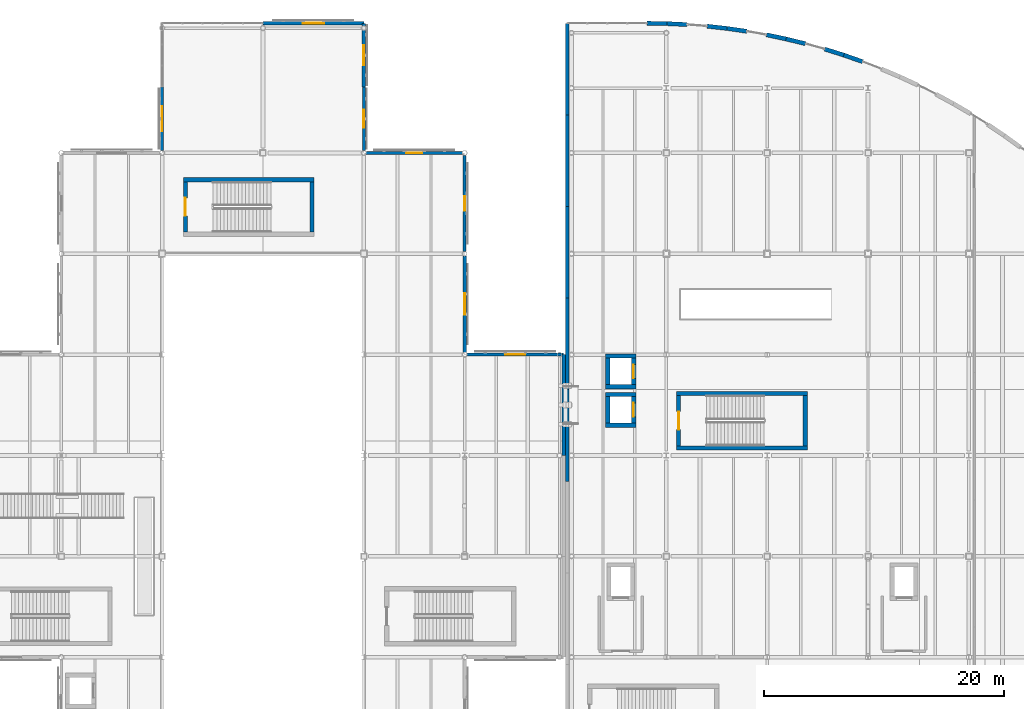
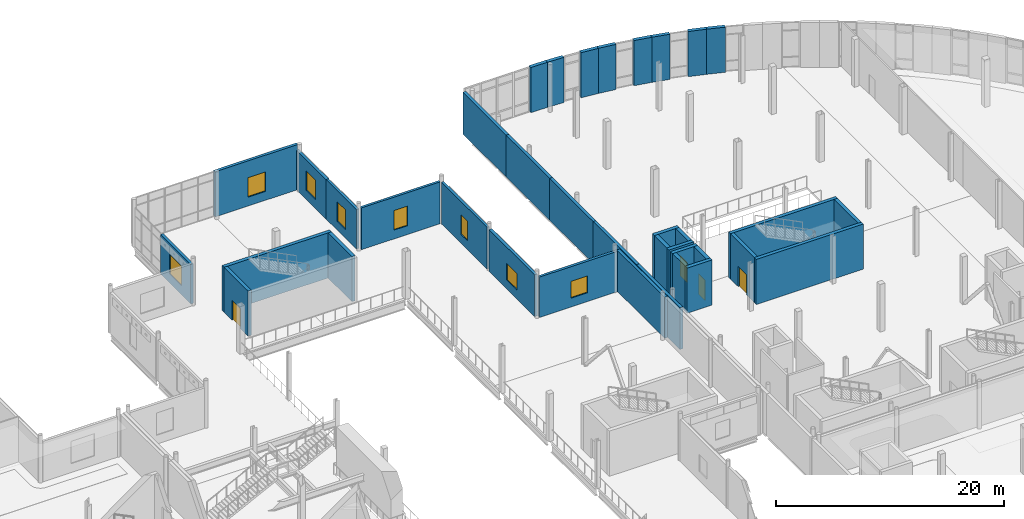
# One storey, part 71 of 104: 37 walls, 8 windows, 4 doors, 12 openings.
"""IFC4 building model written with IfcOpenShell, lengths in metres."""

import ifcopenshell
import ifcopenshell.guid

model = None  # the IFC model being written
_history = None  # IfcOwnerHistory: only IFC2X3 demands one
_inside = {}  # id of a spatial element -> (the spatial element, [elements in it])
_under = {}  # id of a project, library or spatial element -> (it, [spatial elements below it])
_declared = {}  # id of a project -> (the project, [libraries it declares])
_typed = {}  # id of a type object -> (the type object, [elements of that type])
_made_of = {}  # id of a material, layer set ... -> (it, [elements and type objects made of it])


def new_model(schema):
    """Start an empty IFC model of exactly this schema.

    Asked for "IFC4X3", IfcOpenShell would pick the latest addendum, in which some entities
    have other attributes; the version numbers below select the first issue.
    IFC2X3 requires an IfcOwnerHistory on every rooted entity: one is made here for all.
    """
    global model, _history
    if schema == "IFC4X3":
        model = ifcopenshell.file(schema_version=(4, 3, 0, 0))
    else:
        model = ifcopenshell.file(schema=schema)
    _inside.clear()
    _under.clear()
    _declared.clear()
    _typed.clear()
    _made_of.clear()
    _history = None
    if model.schema == "IFC2X3":
        org = make("IfcOrganization", Name="unknown")
        user = make(
            "IfcPersonAndOrganization",
            ThePerson=make("IfcPerson", FamilyName="unknown"),
            TheOrganization=org,
        )
        app = make(
            "IfcApplication",
            ApplicationDeveloper=org,
            Version="unknown",
            ApplicationFullName="unknown",
            ApplicationIdentifier="unknown",
        )
        _history = make(
            "IfcOwnerHistory",
            OwningUser=user,
            OwningApplication=app,
            ChangeAction="ADDED",
            CreationDate=0,
        )
    return model


def make(cls, **values):
    """One entity of the class cls with the attributes given. An attribute that is None is left unset."""
    return model.create_entity(
        cls, **{name: value for name, value in values.items() if value is not None}
    )


def rooted(cls, **values):
    """An entity with a GlobalId (a new one), such as an element, a storey or a relation."""
    return make(cls, GlobalId=ifcopenshell.guid.new(), OwnerHistory=_history, **values)


def si_unit(unit_type, name, prefix=None):
    """IfcSIUnit, for example si_unit("LENGTHUNIT", "METRE", prefix="MILLI")."""
    return make("IfcSIUnit", UnitType=unit_type, Prefix=prefix, Name=name)


def assignment(units):
    """IfcUnitAssignment: the units of a project."""
    return None if units is None else make("IfcUnitAssignment", Units=units)


def point(xyz):
    """IfcCartesianPoint."""
    return None if xyz is None else make("IfcCartesianPoint", Coordinates=xyz)


def direction(xyz):
    """IfcDirection."""
    return None if xyz is None else make("IfcDirection", DirectionRatios=xyz)


def frame(location, z_axis=None, x_axis=None):
    """IfcAxis2Placement3D, a coordinate frame: its origin and axes. An axis left out is left unset."""
    return make(
        "IfcAxis2Placement3D",
        Location=point(location),
        Axis=direction(z_axis),
        RefDirection=direction(x_axis),
    )


def frame_2d(location, x_axis=None):
    """IfcAxis2Placement2D, a coordinate frame in the plane: its origin and x axis."""
    return make(
        "IfcAxis2Placement2D", Location=point(location), RefDirection=direction(x_axis)
    )


def origin():
    """The frame at (0, 0, 0) with its axes left unset."""
    return frame((0.0, 0.0, 0.0))


def place(relative_to, where):
    """IfcLocalPlacement: puts the frame where relative to a parent placement (None: the world)."""
    return make(
        "IfcLocalPlacement", PlacementRelTo=relative_to, RelativePlacement=where
    )


def context(
    kind, dimensions, precision=None, world=None, true_north=None, identifier=None
):
    """IfcGeometricRepresentationContext, for example the 3D "Model" context."""
    return make(
        "IfcGeometricRepresentationContext",
        ContextIdentifier=identifier,
        ContextType=kind,
        CoordinateSpaceDimension=dimensions,
        Precision=precision,
        WorldCoordinateSystem=world,
        TrueNorth=true_north,
    )


def subcontext(parent, identifier, kind, view, scale=None):
    """IfcGeometricRepresentationSubContext, for example "Body" below "Model"."""
    return make(
        "IfcGeometricRepresentationSubContext",
        ContextIdentifier=identifier,
        ContextType=kind,
        ParentContext=parent,
        TargetScale=scale,
        TargetView=view,
    )


def project(units=None, contexts=None):
    """IfcProject with its units and contexts."""
    return rooted(
        "IfcProject",
        Name="project",
        RepresentationContexts=contexts,
        UnitsInContext=assignment(units),
    )


def spatial(cls, under=None, at=None, **own):
    """A site, building, storey or space (cls), placed at a placement, below another one or the project."""
    s = rooted(cls, ObjectPlacement=at, **own)
    if under is not None:
        _under.setdefault(under.id(), (under, []))[1].append(s)
    return s


def profile(cls, at=None, kind="AREA", **sizes):
    """A parametric profile (cls). Its sizes go by their IFC names, for example OverallWidth=200.0."""
    return make(cls, ProfileType=kind, Position=at, **sizes)


def rectangle(**sizes):
    """IfcRectangleProfileDef."""
    return profile("IfcRectangleProfileDef", **sizes)


def extrude(swept, where, along, depth):
    """IfcExtrudedAreaSolid: the profile swept, set in the frame where, extruded along a direction by depth."""
    return make(
        "IfcExtrudedAreaSolid",
        SweptArea=swept,
        Position=where,
        ExtrudedDirection=direction(along),
        Depth=depth,
    )


def shape(context_of_items, identifier, shape_type, items):
    """IfcShapeRepresentation: the items that make up one representation, for example the "Body"."""
    return make(
        "IfcShapeRepresentation",
        ContextOfItems=context_of_items,
        RepresentationIdentifier=identifier,
        RepresentationType=shape_type,
        Items=items,
    )


def material(Name=None, Category=None):
    """IfcMaterial."""
    return make("IfcMaterial", Name=Name, Category=Category)


def layer(
    of_material, thickness, ventilated=None, Name=None, Category=None, Priority=None
):
    """IfcMaterialLayer: one layer of a wall or slab, of a material (None: an air gap)."""
    return make(
        "IfcMaterialLayer",
        Material=of_material,
        LayerThickness=thickness,
        IsVentilated=ventilated,
        Name=Name,
        Category=Category,
        Priority=Priority,
    )


def layer_set(layers, Name=None):
    """IfcMaterialLayerSet."""
    return make("IfcMaterialLayerSet", MaterialLayers=layers, LayerSetName=Name)


def made_of(thing, what):
    """Note that an element or type object is made of a material, layer set ...; save() writes the relation."""
    if what is not None:
        _made_of.setdefault(what.id(), (what, []))[1].append(thing)
    return thing


def type_object(cls, material=None, **own):
    """A type object (cls), such as IfcWallType, which elements share."""
    return made_of(rooted(cls, **own), material)


def element(
    cls,
    number,
    at=None,
    inside=None,
    cuts=None,
    type_object=None,
    material=None,
    context=None,
    identifier="Body",
    shape_type=None,
    held_by="IfcProductDefinitionShape",
    body=None,
    shapes=None,
    **own,
):
    """One element of the class cls, such as IfcWall. Its Tag is "e" and its number.

    at: its placement. inside: the storey or other place that contains it. cuts: it is an
    opening in that element (IfcRelVoidsElement). A single representation is given by context,
    identifier, shape_type and body (its items); several are given by shapes. held_by: the class
    of the entity that holds the representations. save() writes the other relations.
    """
    e = rooted(cls, Tag="e%d" % number, ObjectPlacement=at, **own)
    if body is not None:
        shapes = [shape(context, identifier, shape_type, body)]
    if shapes is not None:
        e.Representation = make(held_by, Representations=shapes)
    if inside is not None:
        _inside.setdefault(inside.id(), (inside, []))[1].append(e)
    if cuts is not None:
        rooted(
            "IfcRelVoidsElement", RelatingBuildingElement=cuts, RelatedOpeningElement=e
        )
    if type_object is not None:
        _typed.setdefault(type_object.id(), (type_object, []))[1].append(e)
    return made_of(e, material)


def fill(opening, filler):
    """IfcRelFillsElement: the door or window that sits in an opening."""
    return rooted(
        "IfcRelFillsElement",
        RelatingOpeningElement=opening,
        RelatedBuildingElement=filler,
    )


def aggregate(whole, parts):
    """IfcRelAggregates: a whole, such as a stair, and the parts it consists of."""
    return rooted("IfcRelAggregates", RelatingObject=whole, RelatedObjects=parts)


def save(model, path):
    """Write the relations noted so far, then the file.

    IfcRelAggregates (storeys below a building ...), IfcRelContainedInSpatialStructure (elements
    in a storey), IfcRelDefinesByType, IfcRelAssociatesMaterial and IfcRelDeclares: one each for
    every whole, place, type object, material and project.
    """
    for whole, parts in _under.values():
        aggregate(whole, parts)
    for where, things in _inside.values():
        rooted(
            "IfcRelContainedInSpatialStructure",
            RelatedElements=things,
            RelatingStructure=where,
        )
    for kind, things in _typed.values():
        rooted("IfcRelDefinesByType", RelatedObjects=things, RelatingType=kind)
    for what, things in _made_of.values():
        rooted("IfcRelAssociatesMaterial", RelatedObjects=things, RelatingMaterial=what)
    for by, libraries in _declared.values():
        rooted("IfcRelDeclares", RelatingContext=by, RelatedDefinitions=libraries)
    model.write(path)


model = new_model("IFC4")

# Units and contexts
model_context = context("Model", 3, precision=1e-05, world=origin(), true_north=direction((0.0, 1.0)))
body_context = subcontext(model_context, "Body", "Model", "MODEL_VIEW")
ifc_project = project(units=[si_unit("LENGTHUNIT", "METRE"), si_unit("AREAUNIT", "SQUARE_METRE"), si_unit("VOLUMEUNIT", "CUBIC_METRE"), si_unit("PLANEANGLEUNIT", "RADIAN"), si_unit("MASSUNIT", "GRAM", prefix="KILO"), si_unit("THERMODYNAMICTEMPERATUREUNIT", "KELVIN")], contexts=[model_context])

# Site, building, storey
site_placement = place(None, origin())
site = spatial("IfcSite", under=ifc_project, at=site_placement, CompositionType="ELEMENT")
building_placement = place(site_placement, origin())
building = spatial("IfcBuilding", under=site, at=building_placement, Name="Lustrewick Department Store", CompositionType="ELEMENT")
storey_placement = place(building_placement, frame((0.0, 0.0, 11.39990234375)))
storey = spatial("IfcBuildingStorey", under=building, at=storey_placement, Name="L03", CompositionType="ELEMENT", Elevation=11.39990234375)

# Wall, opening, window
ifc_material_1 = material(Name="Precast concrete C40", Category="concrete")
ifc_layer_1 = layer(ifc_material_1, 0.239990234375, Name="Precast concrete C40")
ifc_layer_set_1 = layer_set([ifc_layer_1], Name="Precast concrete C40")
wall_type_1 = type_object("IfcWallType", Name="EW01", PredefinedType="STANDARD", material=ifc_layer_set_1)
wall_1_placement = place(storey_placement, frame((100.800048828125, 92.58349609375, 0.0), z_axis=(0.0, 0.0, 1.0), x_axis=(0.0, 1.0, 0.0)))
wall_1 = element("IfcWall", 1, at=wall_1_placement, inside=storey, type_object=wall_type_1, Name="L03 V2 Exterior Wall EW01", PredefinedType="STANDARD", context=body_context, shape_type="SweptSolid", body=[
    extrude(rectangle(XDim=8.0185546875, YDim=0.239990234375, at=frame_2d((4.00927734375, 0.0))), origin(), (0.0, 0.0, 1.0), 4.487060546875),
])
opening_1_placement = place(wall_1_placement, frame((3.4091796875, 0.0, 0.949951171875)))
opening_1 = element("IfcOpeningElement", 2, at=opening_1_placement, cuts=wall_1, Name="Opening WN06", PredefinedType="OPENING", context=body_context, shape_type="SweptSolid", body=[
    extrude(rectangle(XDim=1.199951171875, YDim=2.10009765625, at=frame_2d((0.60009765625, 1.050048828125))), frame((0.0, 0.1298828125, 0.0), z_axis=(0.0, -1.0, 0.0), x_axis=(1.0, 0.0, 0.0)), (0.0, 0.0, 1.0), 0.260009765625),
])
ifc_material_2 = material(Name="Thermally broken Low-E triple-glazed window", Category="glass")
window_type_1 = type_object("IfcWindowType", Name="WN06", PartitioningType="DOUBLE_PANEL_VERTICAL", PredefinedType="WINDOW", material=ifc_material_2)
window_1_placement = place(opening_1_placement, origin())
window_1 = element("IfcWindow", 3, at=window_1_placement, inside=storey, type_object=window_type_1, Name="L03 Art Nouveau Window WN06", OverallHeight=2.10009765625, OverallWidth=1.199951171875, PartitioningType="SINGLE_PANEL", PredefinedType="WINDOW", context=body_context, shape_type="SweptSolid", body=[
    extrude(rectangle(XDim=1.199951171875, YDim=2.10009765625, at=frame_2d((0.60009765625, 1.050048828125))), frame((0.0, 0.030029296875, 0.0), z_axis=(0.0, -1.0, 0.0), x_axis=(1.0, 0.0, 0.0)), (0.0, 0.0, 1.0), 0.06005859375),
])
fill(opening_1, window_1)

wall_2_placement = place(storey_placement, frame((100.60205078125, 100.800048828125, 0.0), z_axis=(0.0, 0.0, 1.0), x_axis=(-1.0, 0.0, 0.0)))
wall_2 = element("IfcWall", 4, at=wall_2_placement, inside=storey, type_object=wall_type_1, Name="L03 V2 Exterior Wall EW01", PredefinedType="STANDARD", context=body_context, shape_type="SweptSolid", body=[
    extrude(rectangle(XDim=8.004150390625, YDim=0.239990234375, at=frame_2d((4.001953125, 0.0))), origin(), (0.0, 0.0, 1.0), 4.487060546875),
])
opening_2_placement = place(wall_2_placement, frame((3.326904296875, 0.0, 0.949951171875)))
opening_2 = element("IfcOpeningElement", 5, at=opening_2_placement, cuts=wall_2, Name="Opening WN07", PredefinedType="OPENING", context=body_context, shape_type="SweptSolid", body=[
    extrude(rectangle(XDim=1.35009765625, YDim=2.10009765625, at=frame_2d((0.675048828125, 1.050048828125))), frame((0.0, 0.1298828125, 0.0), z_axis=(0.0, -1.0, 0.0), x_axis=(1.0, 0.0, 0.0)), (0.0, 0.0, 1.0), 0.260009765625),
])
window_type_2 = type_object("IfcWindowType", Name="WN07", PartitioningType="DOUBLE_PANEL_VERTICAL", PredefinedType="WINDOW", material=ifc_material_2)
window_2_placement = place(opening_2_placement, origin())
window_2 = element("IfcWindow", 6, at=window_2_placement, inside=storey, type_object=window_type_2, Name="L03 Art Nouveau Window WN07", OverallHeight=2.10009765625, OverallWidth=1.35009765625, PartitioningType="SINGLE_PANEL", PredefinedType="WINDOW", context=body_context, shape_type="SweptSolid", body=[
    extrude(rectangle(XDim=1.35009765625, YDim=2.10009765625, at=frame_2d((0.675048828125, 1.050048828125))), frame((0.0, 0.030029296875, 0.0), z_axis=(0.0, -1.0, 0.0), x_axis=(1.0, 0.0, 0.0)), (0.0, 0.0, 1.0), 0.06005859375),
])
fill(opening_2, window_2)

ifc_layer_2 = layer(ifc_material_1, 0.260009765625, Name="Precast concrete C40")
ifc_layer_set_2 = layer_set([ifc_layer_2], Name="Precast concrete C40")
wall_type_2 = type_object("IfcWallType", Name="EW02", PredefinedType="STANDARD", material=ifc_layer_set_2)
wall_3_placement = place(storey_placement, frame((109.050048828125, 84.0, 0.0), z_axis=(0.0, 0.0, 1.0), x_axis=(-1.0, 0.0, 0.0)))
wall_3 = element("IfcWall", 7, at=wall_3_placement, inside=storey, type_object=wall_type_2, Name="L03 V2 Exterior Wall EW02", PredefinedType="STANDARD", context=body_context, shape_type="SweptSolid", body=[
    extrude(rectangle(XDim=8.052001953125, YDim=0.260009765625, at=frame_2d((4.02587890625, 0.0))), origin(), (0.0, 0.0, 1.0), 4.3310546875),
])
opening_3_placement = place(wall_3_placement, frame((3.18603515625, 0.0, 0.949951171875)))
opening_3 = element("IfcOpeningElement", 8, at=opening_3_placement, cuts=wall_3, Name="Opening WN04", PredefinedType="OPENING", context=body_context, shape_type="SweptSolid", body=[
    extrude(rectangle(XDim=1.679931640625, YDim=1.800048828125, at=frame_2d((0.83984375, 0.89990234375))), frame((0.0, 0.14013671875, 0.0), z_axis=(0.0, -1.0, 0.0), x_axis=(1.0, 0.0, 0.0)), (0.0, 0.0, 1.0), 0.280029296875),
])
window_type_3 = type_object("IfcWindowType", Name="WN04", PartitioningType="DOUBLE_PANEL_VERTICAL", PredefinedType="WINDOW", material=ifc_material_2)
window_3_placement = place(opening_3_placement, origin())
window_3 = element("IfcWindow", 9, at=window_3_placement, inside=storey, type_object=window_type_3, Name="L03 Art Nouveau Window WN04", OverallHeight=1.800048828125, OverallWidth=1.679931640625, PartitioningType="SINGLE_PANEL", PredefinedType="WINDOW", context=body_context, shape_type="SweptSolid", body=[
    extrude(rectangle(XDim=1.679931640625, YDim=1.800048828125, at=frame_2d((0.83984375, 0.89990234375))), frame((0.0, 0.030029296875, 0.0), z_axis=(0.0, -1.0, 0.0), x_axis=(1.0, 0.0, 0.0)), (0.0, 0.0, 1.0), 0.06005859375),
])
fill(opening_3, window_3)

wall_4_placement = place(storey_placement, frame((92.39990234375, 100.998046875, 0.0), z_axis=(0.0, 0.0, 1.0), x_axis=(0.0, 1.0, 0.0)))
wall_4 = element("IfcWall", 10, at=wall_4_placement, inside=storey, type_object=wall_type_2, Name="L03 V2 Exterior Wall EW02", PredefinedType="STANDARD", context=body_context, shape_type="SweptSolid", body=[
    extrude(rectangle(XDim=5.301025390625, YDim=0.260009765625, at=frame_2d((2.650390625, 0.0))), origin(), (0.0, 0.0, 1.0), 4.2412109375),
])
opening_4_placement = place(wall_4_placement, frame((1.900390625, 0.0, 0.949951171875)))
opening_4 = element("IfcOpeningElement", 11, at=opening_4_placement, cuts=wall_4, Name="Opening WN08", PredefinedType="OPENING", context=body_context, shape_type="SweptSolid", body=[
    extrude(rectangle(XDim=1.5, YDim=2.10009765625, at=frame_2d((0.75, 1.050048828125))), frame((0.0, 0.14013671875, 0.0), z_axis=(0.0, -1.0, 0.0), x_axis=(1.0, 0.0, 0.0)), (0.0, 0.0, 1.0), 0.280029296875),
])
window_type_4 = type_object("IfcWindowType", Name="WN08", PartitioningType="DOUBLE_PANEL_VERTICAL", PredefinedType="WINDOW", material=ifc_material_2)
window_4_placement = place(opening_4_placement, origin())
window_4 = element("IfcWindow", 12, at=window_4_placement, inside=storey, type_object=window_type_4, Name="L03 Art Nouveau Window WN08", OverallHeight=2.10009765625, OverallWidth=1.5, PartitioningType="SINGLE_PANEL", PredefinedType="WINDOW", context=body_context, shape_type="SweptSolid", body=[
    extrude(rectangle(XDim=1.5, YDim=2.10009765625, at=frame_2d((0.75, 1.050048828125))), frame((0.0, 0.030029296875, 0.0), z_axis=(0.0, -1.0, 0.0), x_axis=(1.0, 0.0, 0.0)), (0.0, 0.0, 1.0), 0.06005859375),
])
fill(opening_4, window_4)

wall_5_placement = place(storey_placement, frame((75.60009765625, 106.299072265625, 0.0), z_axis=(0.0, 0.0, 1.0), x_axis=(0.0, -1.0, 0.0)))
wall_5 = element("IfcWall", 13, at=wall_5_placement, inside=storey, type_object=wall_type_2, Name="L03 V2 Exterior Wall EW02", PredefinedType="STANDARD", context=body_context, shape_type="SweptSolid", body=[
    extrude(rectangle(XDim=5.301025390625, YDim=0.260009765625, at=frame_2d((2.650390625, 0.0))), origin(), (0.0, 0.0, 1.0), 4.2412109375),
])
opening_5_placement = place(wall_5_placement, frame((1.6005859375, 0.0, 0.949951171875)))
opening_5 = element("IfcOpeningElement", 14, at=opening_5_placement, cuts=wall_5, Name="Opening WN11", PredefinedType="OPENING", context=body_context, shape_type="SweptSolid", body=[
    extrude(rectangle(XDim=2.10009765625, YDim=2.10009765625, at=frame_2d((1.050048828125, 1.050048828125))), frame((0.0, 0.14013671875, 0.0), z_axis=(0.0, -1.0, 0.0), x_axis=(1.0, 0.0, 0.0)), (0.0, 0.0, 1.0), 0.280029296875),
])
window_type_5 = type_object("IfcWindowType", Name="WN11", PartitioningType="DOUBLE_PANEL_VERTICAL", PredefinedType="WINDOW", material=ifc_material_2)
window_5_placement = place(opening_5_placement, origin())
window_5 = element("IfcWindow", 15, at=window_5_placement, inside=storey, type_object=window_type_5, Name="L03 Art Nouveau Window WN11", OverallHeight=2.10009765625, OverallWidth=2.10009765625, PartitioningType="SINGLE_PANEL", PredefinedType="WINDOW", context=body_context, shape_type="SweptSolid", body=[
    extrude(rectangle(XDim=2.10009765625, YDim=2.10009765625, at=frame_2d((1.050048828125, 1.050048828125))), frame((0.0, 0.030029296875, 0.0), z_axis=(0.0, -1.0, 0.0), x_axis=(1.0, 0.0, 0.0)), (0.0, 0.0, 1.0), 0.06005859375),
])
fill(opening_5, window_5)

ifc_layer_3 = layer(ifc_material_1, 0.280029296875, Name="Precast concrete C40")
ifc_layer_set_3 = layer_set([ifc_layer_3], Name="Precast concrete C40")
wall_type_3 = type_object("IfcWallType", Name="EW03", PredefinedType="STANDARD", material=ifc_layer_set_3)
wall_6_placement = place(storey_placement, frame((100.800048828125, 84.197998046875, 0.0), z_axis=(0.0, 0.0, 1.0), x_axis=(0.0, 1.0, 0.0)))
wall_6 = element("IfcWall", 16, at=wall_6_placement, inside=storey, type_object=wall_type_3, Name="L03 V2 Exterior Wall EW03", PredefinedType="STANDARD", context=body_context, shape_type="SweptSolid", body=[
    extrude(rectangle(XDim=8.0185546875, YDim=0.280029296875, at=frame_2d((4.00927734375, 0.0))), origin(), (0.0, 0.0, 1.0), 4.487060546875),
])
opening_6_placement = place(wall_6_placement, frame((3.109375, 0.0, 0.949951171875)))
opening_6 = element("IfcOpeningElement", 17, at=opening_6_placement, cuts=wall_6, Name="Opening WN05", PredefinedType="OPENING", context=body_context, shape_type="SweptSolid", body=[
    extrude(rectangle(XDim=1.800048828125, YDim=1.800048828125, at=frame_2d((0.89990234375, 0.89990234375))), frame((0.0, 0.14990234375, 0.0), z_axis=(0.0, -1.0, 0.0), x_axis=(1.0, 0.0, 0.0)), (0.0, 0.0, 1.0), 0.300048828125),
])
window_type_6 = type_object("IfcWindowType", Name="WN05", PartitioningType="DOUBLE_PANEL_VERTICAL", PredefinedType="WINDOW", material=ifc_material_2)
window_6_placement = place(opening_6_placement, origin())
window_6 = element("IfcWindow", 18, at=window_6_placement, inside=storey, type_object=window_type_6, Name="L03 Art Nouveau Window WN05", OverallHeight=1.800048828125, OverallWidth=1.800048828125, PartitioningType="SINGLE_PANEL", PredefinedType="WINDOW", context=body_context, shape_type="SweptSolid", body=[
    extrude(rectangle(XDim=1.800048828125, YDim=1.800048828125, at=frame_2d((0.89990234375, 0.89990234375))), frame((0.0, 0.030029296875, 0.0), z_axis=(0.0, -1.0, 0.0), x_axis=(1.0, 0.0, 0.0)), (0.0, 0.0, 1.0), 0.06005859375),
])
fill(opening_6, window_6)

wall_7_placement = place(storey_placement, frame((92.39990234375, 106.299072265625, 0.0), z_axis=(0.0, 0.0, 1.0), x_axis=(0.0, 1.0, 0.0)))
wall_7 = element("IfcWall", 19, at=wall_7_placement, inside=storey, type_object=wall_type_3, Name="L03 V2 Exterior Wall EW03", PredefinedType="STANDARD", context=body_context, shape_type="SweptSolid", body=[
    extrude(rectangle(XDim=5.301025390625, YDim=0.280029296875, at=frame_2d((2.650390625, 0.0))), origin(), (0.0, 0.0, 1.0), 4.2412109375),
])
opening_7_placement = place(wall_7_placement, frame((1.810546875, 0.0, 0.949951171875)))
opening_7 = element("IfcOpeningElement", 20, at=opening_7_placement, cuts=wall_7, Name="Opening WN09", PredefinedType="OPENING", context=body_context, shape_type="SweptSolid", body=[
    extrude(rectangle(XDim=1.679931640625, YDim=2.10009765625, at=frame_2d((0.83984375, 1.050048828125))), frame((0.0, 0.14990234375, 0.0), z_axis=(0.0, -1.0, 0.0), x_axis=(1.0, 0.0, 0.0)), (0.0, 0.0, 1.0), 0.300048828125),
])
window_type_7 = type_object("IfcWindowType", Name="WN09", PartitioningType="DOUBLE_PANEL_VERTICAL", PredefinedType="WINDOW", material=ifc_material_2)
window_7_placement = place(opening_7_placement, origin())
window_7 = element("IfcWindow", 21, at=window_7_placement, inside=storey, type_object=window_type_7, Name="L03 Art Nouveau Window WN09", OverallHeight=2.10009765625, OverallWidth=1.679931640625, PartitioningType="SINGLE_PANEL", PredefinedType="WINDOW", context=body_context, shape_type="SweptSolid", body=[
    extrude(rectangle(XDim=1.679931640625, YDim=2.10009765625, at=frame_2d((0.83984375, 1.050048828125))), frame((0.0, 0.030029296875, 0.0), z_axis=(0.0, -1.0, 0.0), x_axis=(1.0, 0.0, 0.0)), (0.0, 0.0, 1.0), 0.06005859375),
])
fill(opening_7, window_7)

wall_8_placement = place(storey_placement, frame((92.39990234375, 111.60009765625, 0.0), z_axis=(0.0, 0.0, 1.0), x_axis=(-1.0, 0.0, 0.0)))
wall_8 = element("IfcWall", 22, at=wall_8_placement, inside=storey, type_object=wall_type_3, Name="L03 V2 Exterior Wall EW03", PredefinedType="STANDARD", context=body_context, shape_type="SweptSolid", body=[
    extrude(rectangle(XDim=8.39990234375, YDim=0.280029296875, at=frame_2d((4.199951171875, 0.0))), origin(), (0.0, 0.0, 1.0), 4.84521484375),
])
opening_8_placement = place(wall_8_placement, frame((3.300048828125, 0.0, 0.949951171875)))
opening_8 = element("IfcOpeningElement", 23, at=opening_8_placement, cuts=wall_8, Name="Opening WN10", PredefinedType="OPENING", context=body_context, shape_type="SweptSolid", body=[
    extrude(rectangle(XDim=1.800048828125, YDim=2.10009765625, at=frame_2d((0.89990234375, 1.050048828125))), frame((0.0, 0.14990234375, 0.0), z_axis=(0.0, -1.0, 0.0), x_axis=(1.0, 0.0, 0.0)), (0.0, 0.0, 1.0), 0.300048828125),
])
window_type_8 = type_object("IfcWindowType", Name="WN10", PartitioningType="DOUBLE_PANEL_VERTICAL", PredefinedType="WINDOW", material=ifc_material_2)
window_8_placement = place(opening_8_placement, origin())
window_8 = element("IfcWindow", 24, at=window_8_placement, inside=storey, type_object=window_type_8, Name="L03 Art Nouveau Window WN10", OverallHeight=2.10009765625, OverallWidth=1.800048828125, PartitioningType="SINGLE_PANEL", PredefinedType="WINDOW", context=body_context, shape_type="SweptSolid", body=[
    extrude(rectangle(XDim=1.800048828125, YDim=2.10009765625, at=frame_2d((0.89990234375, 1.050048828125))), frame((0.0, 0.030029296875, 0.0), z_axis=(0.0, -1.0, 0.0), x_axis=(1.0, 0.0, 0.0)), (0.0, 0.0, 1.0), 0.06005859375),
])
fill(opening_8, window_8)

# Walls
ifc_layer_4 = layer(ifc_material_1, 0.300048828125, Name="Precast concrete C40")
ifc_layer_set_4 = layer_set([ifc_layer_4], Name="Precast concrete C40")
wall_type_4 = type_object("IfcWallType", Name="EW04", PredefinedType="STANDARD", material=ifc_layer_set_4)
wall_9_placement = place(storey_placement, frame((109.050048828125, 75.60009765625, 0.0), z_axis=(0.0, 0.0, 1.0), x_axis=(0.0, 1.0, 0.0)))
element("IfcWall", 25, at=wall_9_placement, inside=storey, type_object=wall_type_4, Name="L03 V2 Exterior Wall EW04", PredefinedType="STANDARD", context=body_context, shape_type="SweptSolid", body=[
    extrude(rectangle(XDim=8.39990234375, YDim=0.300048828125, at=frame_2d((4.199951171875, 0.0))), origin(), (0.0, 0.0, 1.0), 4.397216796875),
])
for number, where, z_axis, x_axis, name in (
    (26, (109.35009765625, 111.60009765625, 0.0), (0.0, 0.0, 1.0), (0.0, -1.0, 0.0), "L03 V4 Exterior Wall EW04"),
    (27, (109.35009765625, 103.96875, 0.0), (0.0, 0.0, 1.0), (0.0, -1.0, 0.0), "L03 V4 Exterior Wall EW04"),
):
    element("IfcWall", number, at=place(storey_placement, frame(where, z_axis=z_axis, x_axis=x_axis)), inside=storey, type_object=wall_type_4, Name=name, PredefinedType="STANDARD", context=body_context, shape_type="SweptSolid", body=[
        extrude(rectangle(XDim=7.63134765625, YDim=0.300048828125, at=frame_2d((3.815673828125, 0.0))), origin(), (0.0, 0.0, 1.0), 4.487060546875),
    ])
wall_10_placement = place(storey_placement, frame((109.35009765625, 96.33740234375, 0.0), z_axis=(0.0, 0.0, 1.0), x_axis=(0.0, -1.0, 0.0)))
element("IfcWall", 28, at=wall_10_placement, inside=storey, type_object=wall_type_4, Name="L03 V4 Exterior Wall EW04", PredefinedType="STANDARD", context=body_context, shape_type="SweptSolid", body=[
    extrude(rectangle(XDim=7.631103515625, YDim=0.300048828125, at=frame_2d((3.8154296875, 0.0))), origin(), (0.0, 0.0, 1.0), 4.487060546875),
])
for number, where, z_axis, x_axis, name in (
    (29, (109.35009765625, 88.706298828125, 0.0), (0.0, 0.0, 1.0), (0.0, -1.0, 0.0), "L03 V4 Exterior Wall EW04"),
    (30, (109.35009765625, 81.074951171875, 0.0), (0.0, 0.0, 1.0), (0.0, -1.0, 0.0), "L03 V4 Exterior Wall EW04"),
):
    element("IfcWall", number, at=place(storey_placement, frame(where, z_axis=z_axis, x_axis=x_axis)), inside=storey, type_object=wall_type_4, Name=name, PredefinedType="STANDARD", context=body_context, shape_type="SweptSolid", body=[
        extrude(rectangle(XDim=7.63134765625, YDim=0.300048828125, at=frame_2d((3.815673828125, 0.0))), origin(), (0.0, 0.0, 1.0), 4.487060546875),
    ])
ifc_layer_5 = layer(ifc_material_1, 0.35009765625, Name="Precast concrete C40")
ifc_layer_set_5 = layer_set([ifc_layer_5], Name="Precast concrete C40")
wall_type_5 = type_object("IfcWallType", Name="EW06", PredefinedType="STANDARD", material=ifc_layer_set_5)
wall_11_placement = place(storey_placement, frame((133.958984375, 108.400390625, 0.0), z_axis=(0.0, 0.0, 1.0), x_axis=(-0.943892599877, 0.330252569856, 0.0)))
element("IfcWall", 31, at=wall_11_placement, inside=storey, type_object=wall_type_5, Name="L03 V4 Exterior Wall EW06", PredefinedType="STANDARD", context=body_context, shape_type="SweptSolid", body=[
    extrude(rectangle(XDim=1.6669921875, YDim=0.35009765625, at=frame_2d((0.83349609375, 0.0))), origin(), (0.0, 0.0, 1.0), 4.84521484375),
])
for number, where, z_axis, x_axis, name in (
    (32, (132.385498046875, 108.950927734375, 0.0), (0.0, 0.0, 1.0), (-0.953991322778, 0.299834214299, 0.0), "L03 V4 Exterior Wall EW06"),
    (33, (129.18994140625, 109.8994140625, 0.0), (0.0, 0.0, 1.0), (-0.971226826458, 0.238156359496, 0.0), "L03 V4 Exterior Wall EW06"),
):
    element("IfcWall", number, at=place(storey_placement, frame(where, z_axis=z_axis, x_axis=x_axis)), inside=storey, type_object=wall_type_5, Name=name, PredefinedType="STANDARD", context=body_context, shape_type="SweptSolid", body=[
        extrude(rectangle(XDim=1.666748046875, YDim=0.35009765625, at=frame_2d((0.83349609375, 0.0))), origin(), (0.0, 0.0, 1.0), 4.84521484375),
    ])
for number, where, z_axis, x_axis, name in (
    (34, (127.571044921875, 110.29638671875, 0.0), (0.0, 0.0, 1.0), (-0.978381628468, 0.206807613682, 0.0), "L03 V4 Exterior Wall EW06"),
    (35, (124.29931640625, 110.93359375, 0.0), (0.0, 0.0, 1.0), (-0.989624714051, 0.143676460631, 0.0), "L03 V4 Exterior Wall EW06"),
    (36, (122.649658203125, 111.173095703125, 0.0), (0.0, 0.0, 1.0), (-0.993720125117, 0.111894204214, 0.0), "L03 V4 Exterior Wall EW06"),
    (37, (119.331787109375, 111.4931640625, 0.0), (0.0, 0.0, 1.0), (-0.998845493608, 0.048038316995, 0.0), "L03 V4 Exterior Wall EW06"),
    (38, (117.666748046875, 111.5732421875, 0.0), (0.0, 0.0, 1.0), (-0.999870219029, 0.016110403412, 0.0), "L03 V4 Exterior Wall EW06"),
):
    element("IfcWall", number, at=place(storey_placement, frame(where, z_axis=z_axis, x_axis=x_axis)), inside=storey, type_object=wall_type_5, Name=name, PredefinedType="STANDARD", context=body_context, shape_type="SweptSolid", body=[
        extrude(rectangle(XDim=1.6669921875, YDim=0.35009765625, at=frame_2d((0.83349609375, 0.0))), origin(), (0.0, 0.0, 1.0), 4.84521484375),
    ])
ifc_material_3 = material(Name="Concrete C40", Category="concrete")
ifc_layer_6 = layer(ifc_material_3, 0.360107421875, Name="Concrete C40")
ifc_layer_set_6 = layer_set([ifc_layer_6], Name="Concrete C40")
wall_type_6 = type_object("IfcWallType", Name="SW04", PredefinedType="SHEAR", material=ifc_layer_set_6)
wall_12_placement = place(storey_placement, frame((112.5400390625, 78.1201171875, 0.0), z_axis=(0.0, 0.0, 1.0), x_axis=(1.0, 0.0, 0.0)))
element("IfcWall", 39, at=wall_12_placement, inside=storey, type_object=wall_type_6, Name="L03 Lift PL-07 Shaft Wall -Y", PredefinedType="SHEAR", context=body_context, shape_type="SweptSolid", body=[
    extrude(rectangle(XDim=2.52001953125, YDim=0.360107421875, at=frame_2d((1.260009765625, 0.0))), origin(), (0.0, 0.0, 1.0), 4.84521484375),
])

# Wall, opening, door
wall_13_placement = place(storey_placement, frame((114.8798828125, 78.300048828125, 0.0), z_axis=(0.0, 0.0, 1.0), x_axis=(0.0, 1.0, 0.0)))
wall_13 = element("IfcWall", 40, at=wall_13_placement, inside=storey, type_object=wall_type_6, Name="L03 Lift PL-07 Shaft Wall +X", PredefinedType="SHEAR", context=body_context, shape_type="SweptSolid", body=[
    extrude(rectangle(XDim=2.199951171875, YDim=0.360107421875, at=frame_2d((1.10009765625, 0.0))), origin(), (0.0, 0.0, 1.0), 4.84521484375),
])
opening_9_placement = place(wall_13_placement, frame((0.52490234375, 0.0, 0.0)))
opening_9 = element("IfcOpeningElement", 41, at=opening_9_placement, cuts=wall_13, Name="Opening LD-L03-11", PredefinedType="OPENING", context=body_context, shape_type="SweptSolid", body=[
    extrude(rectangle(XDim=1.14990234375, YDim=2.199951171875, at=frame_2d((0.574951171875, 1.10009765625))), frame((0.0, 0.18994140625, 0.0), z_axis=(0.0, -1.0, 0.0), x_axis=(1.0, 0.0, 0.0)), (0.0, 0.0, 1.0), 0.380126953125),
])
ifc_material_4 = material(Name="Brushed bronze passenger lift landing door EI 60", Category="steel")
door_type_1 = type_object("IfcDoorType", Name="DT-16", OperationType="NOTDEFINED", PredefinedType="DOOR", material=ifc_material_4)
door_1_placement = place(opening_9_placement, frame((1.14990234375, 0.0, 0.0), z_axis=(0.0, 0.0, 1.0), x_axis=(-1.0, 0.0, 0.0)))
door_1 = element("IfcDoor", 42, at=door_1_placement, inside=storey, type_object=door_type_1, Name="L03 Lift PL-07 Sliding Landing Door LD-L03-11", OperationType="DOUBLE_DOOR_SLIDING", OverallHeight=2.199951171875, OverallWidth=1.14990234375, PredefinedType="DOOR", context=body_context, shape_type="SweptSolid", body=[
    extrude(rectangle(XDim=1.14990234375, YDim=2.199951171875, at=frame_2d((0.574951171875, 1.10009765625))), frame((0.0, 0.02490234375, 0.0), z_axis=(0.0, -1.0, 0.0), x_axis=(1.0, 0.0, 0.0)), (0.0, 0.0, 1.0), 0.050048828125),
])
fill(opening_9, door_1)

# Walls
wall_14_placement = place(storey_placement, frame((115.06005859375, 80.679931640625, 0.0), z_axis=(0.0, 0.0, 1.0), x_axis=(-1.0, 0.0, 0.0)))
element("IfcWall", 43, at=wall_14_placement, inside=storey, type_object=wall_type_6, Name="L03 Lift PL-07 Shaft Wall +Y", PredefinedType="SHEAR", context=body_context, shape_type="SweptSolid", body=[
    extrude(rectangle(XDim=2.52001953125, YDim=0.360107421875, at=frame_2d((1.260009765625, 0.0))), origin(), (0.0, 0.0, 1.0), 4.84521484375),
])
wall_15_placement = place(storey_placement, frame((112.719970703125, 80.5, 0.0), z_axis=(0.0, 0.0, 1.0), x_axis=(0.0, -1.0, 0.0)))
element("IfcWall", 44, at=wall_15_placement, inside=storey, type_object=wall_type_6, Name="L03 Lift PL-07 Shaft Wall -X", PredefinedType="SHEAR", context=body_context, shape_type="SweptSolid", body=[
    extrude(rectangle(XDim=2.199951171875, YDim=0.360107421875, at=frame_2d((1.10009765625, 0.0))), origin(), (0.0, 0.0, 1.0), 4.84521484375),
])
wall_16_placement = place(storey_placement, frame((112.5400390625, 81.320068359375, 0.0), z_axis=(0.0, 0.0, 1.0), x_axis=(1.0, 0.0, 0.0)))
element("IfcWall", 45, at=wall_16_placement, inside=storey, type_object=wall_type_6, Name="L03 Lift PL-08 Shaft Wall -Y", PredefinedType="SHEAR", context=body_context, shape_type="SweptSolid", body=[
    extrude(rectangle(XDim=2.52001953125, YDim=0.360107421875, at=frame_2d((1.260009765625, 0.0))), origin(), (0.0, 0.0, 1.0), 4.84521484375),
])

# Wall, opening, door
wall_17_placement = place(storey_placement, frame((114.8798828125, 81.5, 0.0), z_axis=(0.0, 0.0, 1.0), x_axis=(0.0, 1.0, 0.0)))
wall_17 = element("IfcWall", 46, at=wall_17_placement, inside=storey, type_object=wall_type_6, Name="L03 Lift PL-08 Shaft Wall +X", PredefinedType="SHEAR", context=body_context, shape_type="SweptSolid", body=[
    extrude(rectangle(XDim=2.199951171875, YDim=0.360107421875, at=frame_2d((1.10009765625, 0.0))), origin(), (0.0, 0.0, 1.0), 4.84521484375),
])
opening_10_placement = place(wall_17_placement, frame((0.52490234375, 0.0, 0.0)))
opening_10 = element("IfcOpeningElement", 47, at=opening_10_placement, cuts=wall_17, Name="Opening LD-L03-12", PredefinedType="OPENING", context=body_context, shape_type="SweptSolid", body=[
    extrude(rectangle(XDim=1.14990234375, YDim=2.199951171875, at=frame_2d((0.574951171875, 1.10009765625))), frame((0.0, 0.18994140625, 0.0), z_axis=(0.0, -1.0, 0.0), x_axis=(1.0, 0.0, 0.0)), (0.0, 0.0, 1.0), 0.380126953125),
])
door_2_placement = place(opening_10_placement, frame((1.14990234375, 0.0, 0.0), z_axis=(0.0, 0.0, 1.0), x_axis=(-1.0, 0.0, 0.0)))
door_2 = element("IfcDoor", 48, at=door_2_placement, inside=storey, type_object=door_type_1, Name="L03 Lift PL-08 Sliding Landing Door LD-L03-12", OperationType="DOUBLE_DOOR_SLIDING", OverallHeight=2.199951171875, OverallWidth=1.14990234375, PredefinedType="DOOR", context=body_context, shape_type="SweptSolid", body=[
    extrude(rectangle(XDim=1.14990234375, YDim=2.199951171875, at=frame_2d((0.574951171875, 1.10009765625))), frame((0.0, 0.02490234375, 0.0), z_axis=(0.0, -1.0, 0.0), x_axis=(1.0, 0.0, 0.0)), (0.0, 0.0, 1.0), 0.050048828125),
])
fill(opening_10, door_2)

# Walls
wall_18_placement = place(storey_placement, frame((115.06005859375, 83.8798828125, 0.0), z_axis=(0.0, 0.0, 1.0), x_axis=(-1.0, 0.0, 0.0)))
element("IfcWall", 49, at=wall_18_placement, inside=storey, type_object=wall_type_6, Name="L03 Lift PL-08 Shaft Wall +Y", PredefinedType="SHEAR", context=body_context, shape_type="SweptSolid", body=[
    extrude(rectangle(XDim=2.52001953125, YDim=0.360107421875, at=frame_2d((1.260009765625, 0.0))), origin(), (0.0, 0.0, 1.0), 4.84521484375),
])
wall_19_placement = place(storey_placement, frame((112.719970703125, 83.699951171875, 0.0), z_axis=(0.0, 0.0, 1.0), x_axis=(0.0, -1.0, 0.0)))
element("IfcWall", 50, at=wall_19_placement, inside=storey, type_object=wall_type_6, Name="L03 Lift PL-08 Shaft Wall -X", PredefinedType="SHEAR", context=body_context, shape_type="SweptSolid", body=[
    extrude(rectangle(XDim=2.199951171875, YDim=0.360107421875, at=frame_2d((1.10009765625, 0.0))), origin(), (0.0, 0.0, 1.0), 4.84521484375),
])
ifc_layer_7 = layer(ifc_material_3, 0.340087890625, Name="Concrete C40")
ifc_layer_set_7 = layer_set([ifc_layer_7], Name="Concrete C40")
wall_type_7 = type_object("IfcWallType", Name="SW05", PredefinedType="SHEAR", material=ifc_layer_set_7)
wall_20_placement = place(storey_placement, frame((88.070068359375, 94.199951171875, 0.0), z_axis=(0.0, 0.0, 1.0), x_axis=(0.0, 1.0, 0.0)))
element("IfcWall", 51, at=wall_20_placement, inside=storey, type_object=wall_type_7, Name="L03 Stair Core ST06 Shear Wall E", PredefinedType="SHEAR", context=body_context, shape_type="SweptSolid", body=[
    extrude(rectangle(XDim=4.199951171875, YDim=0.340087890625, at=frame_2d((2.10009765625, 0.0))), origin(), (0.0, 0.0, 1.0), 4.84521484375),
])
wall_21_placement = place(storey_placement, frame((88.239990234375, 98.570068359375, 0.0), z_axis=(0.0, 0.0, 1.0), x_axis=(-1.0, 0.0, 0.0)))
element("IfcWall", 52, at=wall_21_placement, inside=storey, type_object=wall_type_7, Name="L03 Stair Core ST06 Shear Wall N", PredefinedType="SHEAR", context=body_context, shape_type="SweptSolid", body=[
    extrude(rectangle(XDim=10.8798828125, YDim=0.340087890625, at=frame_2d((5.43994140625, 0.0))), origin(), (0.0, 0.0, 1.0), 4.84521484375),
])

# Wall, opening, door
wall_22_placement = place(storey_placement, frame((77.530029296875, 98.39990234375, 0.0), z_axis=(0.0, 0.0, 1.0), x_axis=(0.0, -1.0, 0.0)))
wall_22 = element("IfcWall", 53, at=wall_22_placement, inside=storey, type_object=wall_type_7, Name="L03 Stair Core ST06 Shear Wall W", PredefinedType="SHEAR", context=body_context, shape_type="SweptSolid", body=[
    extrude(rectangle(XDim=4.199951171875, YDim=0.340087890625, at=frame_2d((2.10009765625, 0.0))), origin(), (0.0, 0.0, 1.0), 4.84521484375),
])
opening_11_placement = place(wall_22_placement, frame((1.35009765625, 0.0, 0.0)))
opening_11 = element("IfcOpeningElement", 54, at=opening_11_placement, cuts=wall_22, Name="Opening D-L03-006", PredefinedType="OPENING", context=body_context, shape_type="SweptSolid", body=[
    extrude(rectangle(XDim=1.5, YDim=2.14990234375, at=frame_2d((0.75, 1.074951171875))), frame((0.0, 0.18017578125, 0.0), z_axis=(0.0, -1.0, 0.0), x_axis=(1.0, 0.0, 0.0)), (0.0, 0.0, 1.0), 0.360107421875),
])
ifc_material_5 = material(Name="Steel fire door Class B EI 60", Category="steel")
door_type_2 = type_object("IfcDoorType", Name="DT-07", OperationType="NOTDEFINED", PredefinedType="DOOR", material=ifc_material_5)
door_3_placement = place(opening_11_placement, origin())
door_3 = element("IfcDoor", 55, at=door_3_placement, inside=storey, type_object=door_type_2, Name="L03 Smoke-Proof Stair ST06 Fire Door", OperationType="SINGLE_SWING_RIGHT", OverallHeight=2.14990234375, OverallWidth=1.5, PredefinedType="DOOR", context=body_context, shape_type="SweptSolid", body=[
    extrude(rectangle(XDim=1.5, YDim=2.14990234375, at=frame_2d((0.75, 1.074951171875))), frame((0.0, 0.02490234375, 0.0), z_axis=(0.0, -1.0, 0.0), x_axis=(1.0, 0.0, 0.0)), (0.0, 0.0, 1.0), 0.050048828125),
])
fill(opening_11, door_3)

# Walls
wall_23_placement = place(storey_placement, frame((118.4599609375, 76.22998046875, 0.0), z_axis=(0.0, 0.0, 1.0), x_axis=(1.0, 0.0, 0.0)))
element("IfcWall", 56, at=wall_23_placement, inside=storey, type_object=wall_type_7, Name="L03 Stair Core ST10 Shear Wall S", PredefinedType="SHEAR", context=body_context, shape_type="SweptSolid", body=[
    extrude(rectangle(XDim=10.880126953125, YDim=0.340087890625, at=frame_2d((5.43994140625, 0.0))), origin(), (0.0, 0.0, 1.0), 4.84521484375),
])
wall_24_placement = place(storey_placement, frame((129.169921875, 76.39990234375, 0.0), z_axis=(0.0, 0.0, 1.0), x_axis=(0.0, 1.0, 0.0)))
element("IfcWall", 57, at=wall_24_placement, inside=storey, type_object=wall_type_7, Name="L03 Stair Core ST10 Shear Wall E", PredefinedType="SHEAR", context=body_context, shape_type="SweptSolid", body=[
    extrude(rectangle(XDim=4.2001953125, YDim=0.340087890625, at=frame_2d((2.10009765625, 0.0))), origin(), (0.0, 0.0, 1.0), 4.84521484375),
])
wall_25_placement = place(storey_placement, frame((129.340087890625, 80.77001953125, 0.0), z_axis=(0.0, 0.0, 1.0), x_axis=(-1.0, 0.0, 0.0)))
element("IfcWall", 58, at=wall_25_placement, inside=storey, type_object=wall_type_7, Name="L03 Stair Core ST10 Shear Wall N", PredefinedType="SHEAR", context=body_context, shape_type="SweptSolid", body=[
    extrude(rectangle(XDim=10.880126953125, YDim=0.340087890625, at=frame_2d((5.43994140625, 0.0))), origin(), (0.0, 0.0, 1.0), 4.84521484375),
])

# Wall, opening, door
wall_26_placement = place(storey_placement, frame((118.6298828125, 80.60009765625, 0.0), z_axis=(0.0, 0.0, 1.0), x_axis=(0.0, -1.0, 0.0)))
wall_26 = element("IfcWall", 59, at=wall_26_placement, inside=storey, type_object=wall_type_7, Name="L03 Stair Core ST10 Shear Wall W", PredefinedType="SHEAR", context=body_context, shape_type="SweptSolid", body=[
    extrude(rectangle(XDim=4.2001953125, YDim=0.340087890625, at=frame_2d((2.10009765625, 0.0))), origin(), (0.0, 0.0, 1.0), 4.84521484375),
])
opening_12_placement = place(wall_26_placement, frame((1.35009765625, 0.0, 0.0)))
opening_12 = element("IfcOpeningElement", 60, at=opening_12_placement, cuts=wall_26, Name="Opening D-L03-010", PredefinedType="OPENING", context=body_context, shape_type="SweptSolid", body=[
    extrude(rectangle(XDim=1.5, YDim=2.14990234375, at=frame_2d((0.75, 1.074951171875))), frame((0.0, 0.18017578125, 0.0), z_axis=(0.0, -1.0, 0.0), x_axis=(1.0, 0.0, 0.0)), (0.0, 0.0, 1.0), 0.360107421875),
])
door_4_placement = place(opening_12_placement, origin())
door_4 = element("IfcDoor", 61, at=door_4_placement, inside=storey, type_object=door_type_2, Name="L03 Smoke-Proof Stair ST10 Fire Door", OperationType="SINGLE_SWING_RIGHT", OverallHeight=2.14990234375, OverallWidth=1.5, PredefinedType="DOOR", context=body_context, shape_type="SweptSolid", body=[
    extrude(rectangle(XDim=1.5, YDim=2.14990234375, at=frame_2d((0.75, 1.074951171875))), frame((0.0, 0.02490234375, 0.0), z_axis=(0.0, -1.0, 0.0), x_axis=(1.0, 0.0, 0.0)), (0.0, 0.0, 1.0), 0.050048828125),
])
fill(opening_12, door_4)

save(model, "model.ifc")
